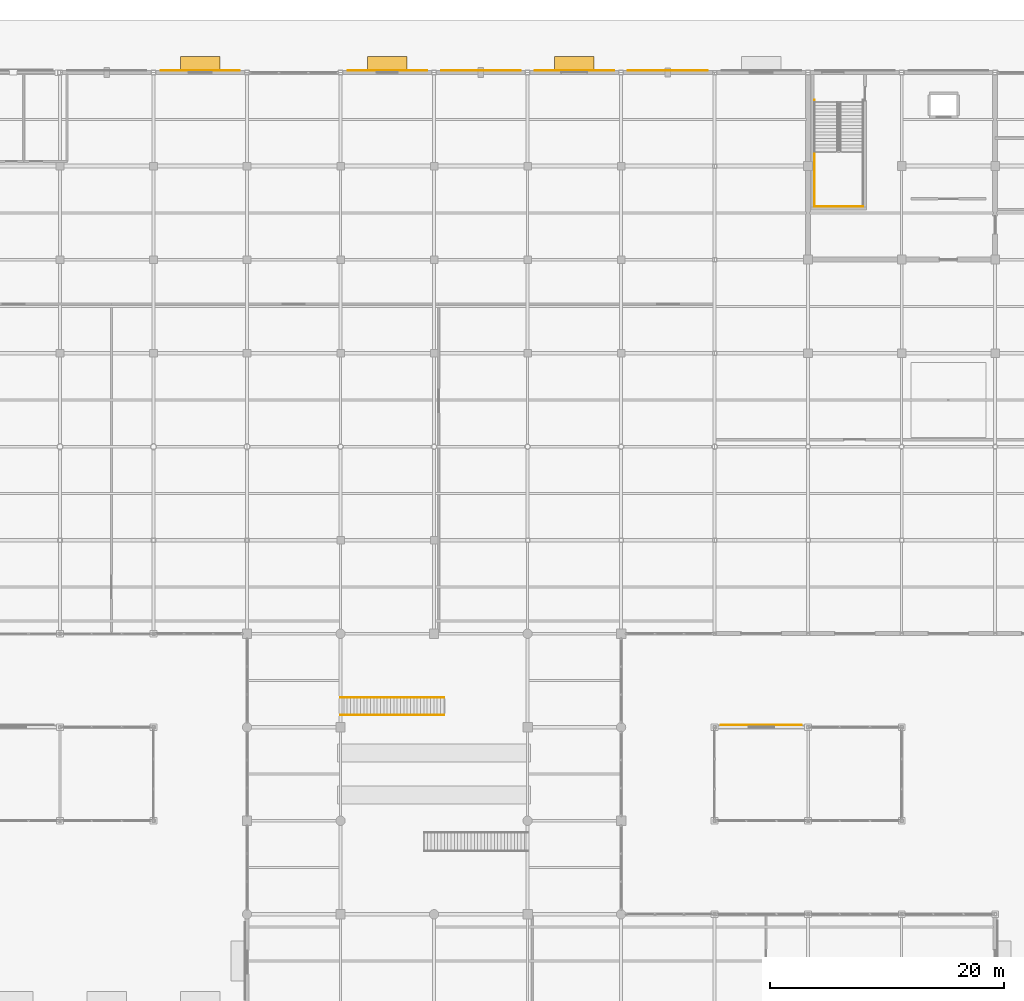
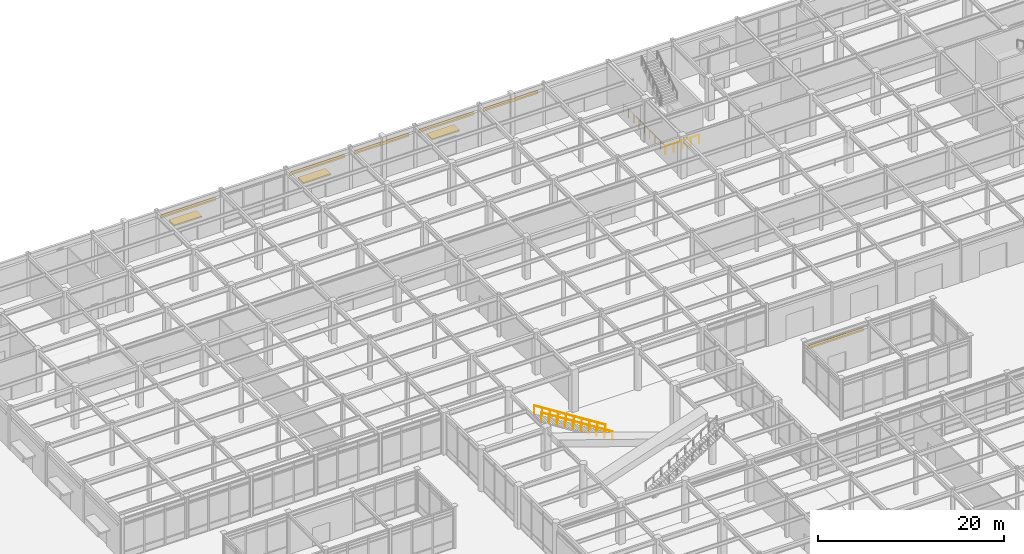
# One storey, part 122 of 128: 6 coverings, 6 railings, 3 shading devices.
"""IFC4 building model written with IfcOpenShell, lengths in metres."""

from ifc_helpers import new_model, si_unit, direction, frame, origin, origin_2d, place, context, subcontext, project, spatial, rectangle, circle, extrude, material, layer, layer_set, type_object, element, save


model = new_model("IFC4")

# Units and contexts
model_context = context("Model", 3, precision=1e-05, world=origin(), true_north=direction((0.0, 1.0)))
body_context = subcontext(model_context, "Body", "Model", "MODEL_VIEW")
ifc_project = project(units=[si_unit("LENGTHUNIT", "METRE"), si_unit("AREAUNIT", "SQUARE_METRE"), si_unit("VOLUMEUNIT", "CUBIC_METRE"), si_unit("PLANEANGLEUNIT", "RADIAN"), si_unit("MASSUNIT", "GRAM", prefix="KILO")], contexts=[model_context])

# Site, building, storey
site_placement = place(None, origin())
site = spatial("IfcSite", under=ifc_project, at=site_placement, CompositionType="ELEMENT")
building_placement = place(site_placement, origin())
building = spatial("IfcBuilding", under=site, at=building_placement, Name="Solmirada Galleria", CompositionType="ELEMENT")
storey_placement = place(building_placement, origin())
storey = spatial("IfcBuildingStorey", under=building, at=storey_placement, Name="L00", CompositionType="ELEMENT", Elevation=0.0)

# Coverings
ifc_material_1 = material(Name="Limestone cladding panels", Category="masonry")
ifc_layer = layer(ifc_material_1, 0.044921875)
ifc_layer_set = layer_set([ifc_layer], Name="Limestone cladding panels")
covering_type = type_object("IfcCoveringType", Name="COV-CLAD-LIME", PredefinedType="CLADDING", material=ifc_layer_set)
for number, where, z_axis, x_axis, name in (
    (1, (76.0, 120.1923828125, 4.090087890625), (0.0, 0.0, 1.0), (1.0, 0.0, 0.0), "Postmodern facade cladding L00-012"),
    (2, (92.0, 120.1923828125, 4.090087890625), (0.0, 0.0, 1.0), (1.0, 0.0, 0.0), "Postmodern facade cladding L00-013"),
    (3, (100.0, 120.1923828125, 4.090087890625), (0.0, 0.0, 1.0), (1.0, 0.0, 0.0), "Postmodern facade cladding L00-014"),
    (4, (108.0, 120.1923828125, 4.090087890625), (0.0, 0.0, 1.0), (1.0, 0.0, 0.0), "Postmodern facade cladding L00-015"),
):
    element("IfcCovering", number, at=place(storey_placement, frame(where, z_axis=z_axis, x_axis=x_axis)), inside=storey, type_object=covering_type, Name=name, PredefinedType="CLADDING", context=body_context, shape_type="SweptSolid", body=[
        extrude(rectangle(XDim=6.7939453125, YDim=0.044921875, at=origin_2d()), origin(), (0.0, 0.0, 1.0), 0.4599609375),
    ])
covering_1_placement = place(storey_placement, frame((116.0, 120.1923828125, 4.090087890625), z_axis=(0.0, 0.0, 1.0), x_axis=(1.0, 0.0, 0.0)))
element("IfcCovering", 5, at=covering_1_placement, inside=storey, type_object=covering_type, Name="Postmodern facade cladding L00-016", PredefinedType="CLADDING", context=body_context, shape_type="SweptSolid", body=[
    extrude(rectangle(XDim=6.819091796875, YDim=0.044921875, at=origin_2d()), origin(), (0.0, 0.0, 1.0), 0.4599609375),
])
covering_2_placement = place(storey_placement, frame((124.0, 64.1923828125, 4.090087890625), z_axis=(0.0, 0.0, 1.0), x_axis=(1.0, 0.0, 0.0)))
element("IfcCovering", 6, at=covering_2_placement, inside=storey, type_object=covering_type, Name="Postmodern facade cladding L00-063", PredefinedType="CLADDING", context=body_context, shape_type="SweptSolid", body=[
    extrude(rectangle(XDim=6.946044921875, YDim=0.044921875, at=origin_2d()), origin(), (0.0, 0.0, 1.0), 0.4599609375),
])

# Railings
ifc_material_2 = material(Name="Painted steel tubular railing", Category="steel")
railing_type_1 = type_object("IfcRailingType", Name="RAIL-STAIR-GUARD", PredefinedType="GUARDRAIL", material=ifc_material_2)
railing_1_placement = place(storey_placement, frame((132.7099609375, 108.5400390625, 0.0)))
element("IfcRailing", 7, at=railing_1_placement, inside=storey, type_object=railing_type_1, Name="Stair ST3 well edge guard L00-2", PredefinedType="GUARDRAIL", context=body_context, shape_type="SweptSolid", body=[
    extrude(circle(Radius=0.02392578125, at=origin_2d()), frame((0.0, 0.0, 1.09619140625), z_axis=(-1.0, 0.0, 0.0), x_axis=(0.0, -1.0, 0.0)), (0.0, 0.0, 1.0), 4.169921875),
    extrude(circle(Radius=0.02099609375, at=origin_2d()), origin(), (0.0, 0.0, 1.0), 1.068115234375),
    extrude(circle(Radius=0.02099609375, at=origin_2d()), frame((-1.04248046875, 0.0, 0.0)), (0.0, 0.0, 1.0), 1.068115234375),
    extrude(circle(Radius=0.02099609375, at=origin_2d()), frame((-2.0849609375, 0.0, 0.0)), (0.0, 0.0, 1.0), 1.068115234375),
    extrude(circle(Radius=0.02099609375, at=origin_2d()), frame((-3.12744140625, 0.0, 0.0)), (0.0, 0.0, 1.0), 1.068115234375),
    extrude(circle(Radius=0.02099609375, at=origin_2d()), frame((-4.169921875, 0.0, 0.0)), (0.0, 0.0, 1.0), 1.068115234375),
])
railing_2_placement = place(storey_placement, frame((128.5400390625, 108.5400390625, 0.0)))
element("IfcRailing", 8, at=railing_2_placement, inside=storey, type_object=railing_type_1, Name="Stair ST3 well edge guard L00-3", PredefinedType="GUARDRAIL", context=body_context, shape_type="SweptSolid", body=[
    extrude(circle(Radius=0.02392578125, at=origin_2d()), frame((0.0, 0.0, 1.09619140625), z_axis=(0.0, 1.0, 0.0), x_axis=(-1.0, 0.0, 0.0)), (0.0, 0.0, 1.0), 9.10986328125),
    extrude(circle(Radius=0.02099609375, at=origin_2d()), origin(), (0.0, 0.0, 1.0), 1.068115234375),
    extrude(circle(Radius=0.02099609375, at=origin_2d()), frame((0.0, 1.138671875, 0.0)), (0.0, 0.0, 1.0), 1.068115234375),
    extrude(circle(Radius=0.02099609375, at=origin_2d()), frame((0.0, 2.27734375, 0.0)), (0.0, 0.0, 1.0), 1.068115234375),
    extrude(circle(Radius=0.02099609375, at=origin_2d()), frame((0.0, 3.416259765625, 0.0)), (0.0, 0.0, 1.0), 1.068115234375),
    extrude(circle(Radius=0.02099609375, at=origin_2d()), frame((0.0, 4.554931640625, 0.0)), (0.0, 0.0, 1.0), 1.068115234375),
    extrude(circle(Radius=0.02099609375, at=origin_2d()), frame((0.0, 5.693603515625, 0.0)), (0.0, 0.0, 1.0), 1.068115234375),
    extrude(circle(Radius=0.02099609375, at=origin_2d()), frame((0.0, 6.83251953125, 0.0)), (0.0, 0.0, 1.0), 1.068115234375),
    extrude(circle(Radius=0.02099609375, at=origin_2d()), frame((0.0, 7.97119140625, 0.0)), (0.0, 0.0, 1.0), 1.068115234375),
    extrude(circle(Radius=0.02099609375, at=origin_2d()), frame((0.0, 9.10986328125, 0.0)), (0.0, 0.0, 1.0), 1.068115234375),
])
for number, where, name in (
    (9, (96.8349609375, 65.050048828125, 0.0), "Grand feature stair ST8 guardrail 1"),
    (10, (96.8349609375, 66.550048828125, 0.0), "Grand feature stair ST8 guardrail 2"),
):
    element("IfcRailing", number, at=place(storey_placement, frame(where)), inside=storey, type_object=railing_type_1, Name=name, PredefinedType="GUARDRAIL", context=body_context, shape_type="SweptSolid", body=[
        extrude(circle(Radius=0.02392578125, at=origin_2d()), frame((0.0, 0.0, 1.09619140625), z_axis=(-0.844619268308, 0.0, 0.535367436069), x_axis=(0.0, -1.0, 0.0)), (0.0, 0.0, 1.0), 10.460205078125),
        extrude(circle(Radius=0.02099609375, at=origin_2d()), origin(), (0.0, 0.0, 1.0), 1.068115234375),
        extrude(circle(Radius=0.02099609375, at=origin_2d()), frame((-0.981689453125, 0.0, 0.622314453125)), (0.0, 0.0, 1.0), 1.068115234375),
        extrude(circle(Radius=0.02099609375, at=origin_2d()), frame((-1.96337890625, 0.0, 1.244384765625)), (0.0, 0.0, 1.0), 1.068115234375),
        extrude(circle(Radius=0.02099609375, at=origin_2d()), frame((-2.945068359375, 0.0, 1.86669921875)), (0.0, 0.0, 1.0), 1.068115234375),
        extrude(circle(Radius=0.02099609375, at=origin_2d()), frame((-3.9267578125, 0.0, 2.489013671875)), (0.0, 0.0, 1.0), 1.068115234375),
        extrude(circle(Radius=0.02099609375, at=origin_2d()), frame((-4.908203125, 0.0, 3.111083984375)), (0.0, 0.0, 1.0), 1.068115234375),
        extrude(circle(Radius=0.02099609375, at=origin_2d()), frame((-5.889892578125, 0.0, 3.7333984375)), (0.0, 0.0, 1.0), 1.068115234375),
        extrude(circle(Radius=0.02099609375, at=origin_2d()), frame((-6.87158203125, 0.0, 4.355712890625)), (0.0, 0.0, 1.0), 1.068115234375),
        extrude(circle(Radius=0.02099609375, at=origin_2d()), frame((-7.853271484375, 0.0, 4.977783203125)), (0.0, 0.0, 1.0), 1.068115234375),
        extrude(circle(Radius=0.02099609375, at=origin_2d()), frame((-8.8349609375, 0.0, 5.60009765625)), (0.0, 0.0, 1.0), 1.068115234375),
    ])
railing_type_2 = type_object("IfcRailingType", Name="RAIL-STAIR-HAND", PredefinedType="HANDRAIL", material=ifc_material_2)
for number, where, name in (
    (11, (96.8349609375, 65.050048828125, 0.175048828125), "Grand feature stair ST8 handrail 1"),
    (12, (96.8349609375, 66.550048828125, 0.175048828125), "Grand feature stair ST8 handrail 2"),
):
    element("IfcRailing", number, at=place(storey_placement, frame(where)), inside=storey, type_object=railing_type_2, Name=name, PredefinedType="HANDRAIL", context=body_context, shape_type="SweptSolid", body=[
        extrude(circle(Radius=0.02392578125, at=origin_2d()), frame((0.0, 0.0, 0.8759765625), z_axis=(-0.844629822088, 0.0, 0.535350785598), x_axis=(0.0, -1.0, 0.0)), (0.0, 0.0, 1.0), 10.460205078125),
        extrude(circle(Radius=0.02099609375, at=origin_2d()), origin(), (0.0, 0.0, 1.0), 0.847900390625),
        extrude(circle(Radius=0.02099609375, at=origin_2d()), frame((-0.981689453125, 0.0, 0.622314453125)), (0.0, 0.0, 1.0), 0.847900390625),
        extrude(circle(Radius=0.02099609375, at=origin_2d()), frame((-1.96337890625, 0.0, 1.244384765625)), (0.0, 0.0, 1.0), 0.847900390625),
        extrude(circle(Radius=0.02099609375, at=origin_2d()), frame((-2.945068359375, 0.0, 1.86669921875)), (0.0, 0.0, 1.0), 0.847900390625),
        extrude(circle(Radius=0.02099609375, at=origin_2d()), frame((-3.9267578125, 0.0, 2.48876953125)), (0.0, 0.0, 1.0), 0.847900390625),
        extrude(circle(Radius=0.02099609375, at=origin_2d()), frame((-4.908203125, 0.0, 3.111083984375)), (0.0, 0.0, 1.0), 0.847900390625),
        extrude(circle(Radius=0.02099609375, at=origin_2d()), frame((-5.889892578125, 0.0, 3.733154296875)), (0.0, 0.0, 1.0), 0.847900390625),
        extrude(circle(Radius=0.02099609375, at=origin_2d()), frame((-6.87158203125, 0.0, 4.35546875)), (0.0, 0.0, 1.0), 0.847900390625),
        extrude(circle(Radius=0.02099609375, at=origin_2d()), frame((-7.853271484375, 0.0, 4.9775390625)), (0.0, 0.0, 1.0), 0.847900390625),
        extrude(circle(Radius=0.02099609375, at=origin_2d()), frame((-8.8349609375, 0.0, 5.599853515625)), (0.0, 0.0, 1.0), 0.847900390625),
    ])

# Shading devices
ifc_material_3 = material(Name="Extruded aluminium storm louvres", Category="aluminium")
shading_device_type = type_object("IfcShadingDeviceType", Name="SHD-AWNING", PredefinedType="AWNING", material=ifc_material_3)
for number, where, z_axis, x_axis, name in (
    (13, (76.0, 120.77001953125, 2.4599609375), (0.0, 0.0, 1.0), (1.0, 0.0, 0.0), "Storm entrance awning canopy 006"),
    (14, (92.0, 120.77001953125, 2.41015625), (0.0, 0.0, 1.0), (1.0, 0.0, 0.0), "Storm entrance awning canopy 007"),
    (15, (108.0, 120.77001953125, 2.56005859375), (0.0, 0.0, 1.0), (1.0, 0.0, 0.0), "Storm entrance awning canopy 008"),
):
    element("IfcShadingDevice", number, at=place(storey_placement, frame(where, z_axis=z_axis, x_axis=x_axis)), inside=storey, type_object=shading_device_type, Name=name, PredefinedType="AWNING", context=body_context, shape_type="SweptSolid", body=[
        extrude(rectangle(XDim=3.39990234375, YDim=1.199951171875, at=origin_2d()), origin(), (0.0, 0.0, 1.0), 0.179931640625),
    ])

save(model, "model.ifc")
